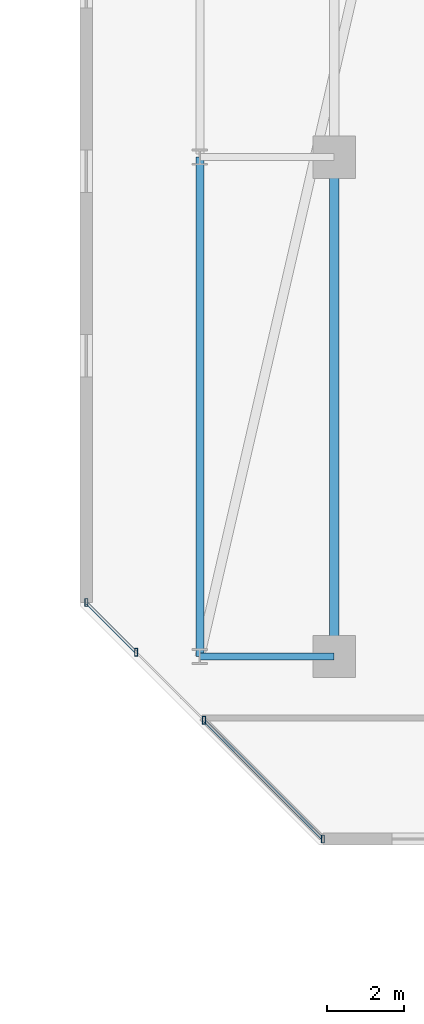
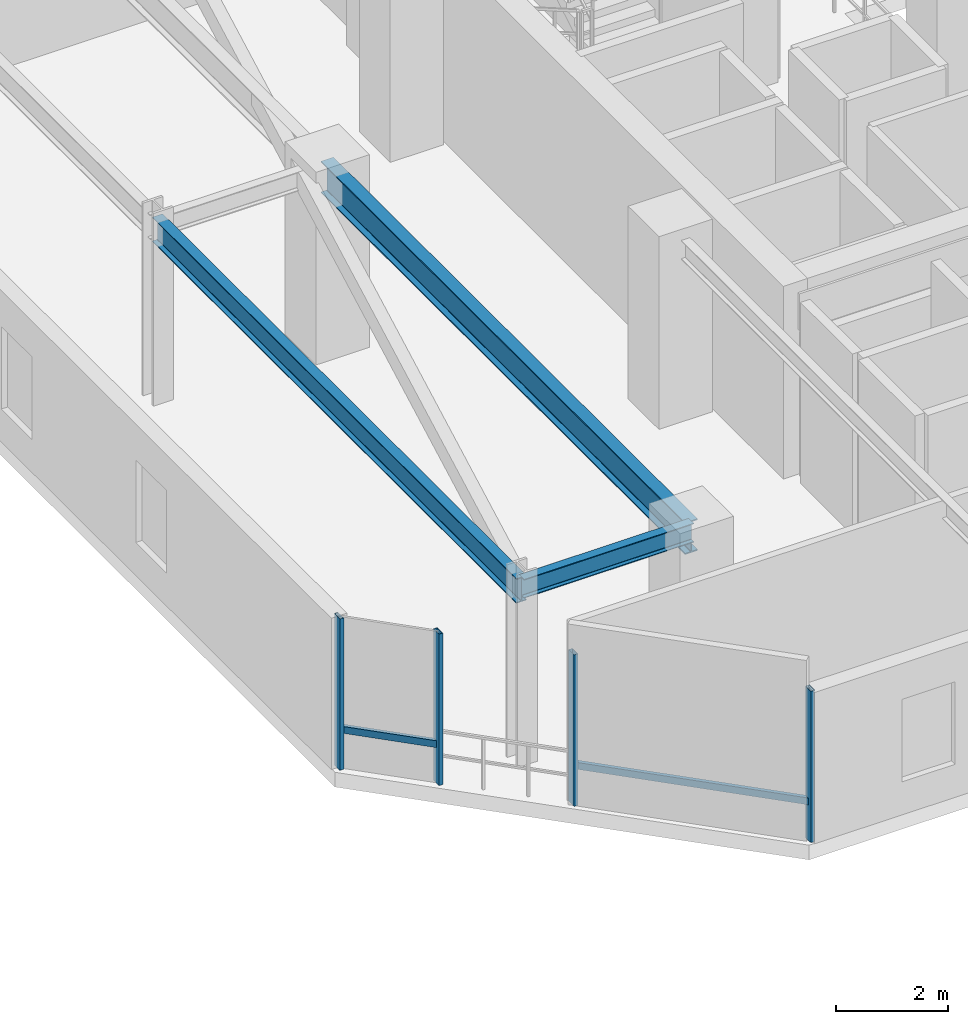
# One storey, part 6 of 33: 6 members, 3 beams, 2 elements without a shape of their own.
"""IFC4 building model written with IfcOpenShell, lengths in metres."""

from ifc_helpers import new_model, si_unit, direction, frame, origin, origin_2d, place, context, subcontext, project, spatial, hollow_rectangle, i_section, extrude, material, material_profile, profile_set, type_object, element, aggregate, save


model = new_model("IFC4")

# Units and contexts
model_context = context("Model", 3, precision=1e-05, world=origin(), true_north=direction((0.0, 1.0)))
body_context = subcontext(model_context, "Body", "Model", "MODEL_VIEW")
ifc_project = project(units=[si_unit("LENGTHUNIT", "METRE"), si_unit("AREAUNIT", "SQUARE_METRE"), si_unit("VOLUMEUNIT", "CUBIC_METRE"), si_unit("PLANEANGLEUNIT", "RADIAN"), si_unit("MASSUNIT", "GRAM", prefix="KILO")], contexts=[model_context])

# Site, building, storey
site_placement = place(None, origin())
site = spatial("IfcSite", under=ifc_project, at=site_placement, CompositionType="ELEMENT")
building_placement = place(site_placement, origin())
building = spatial("IfcBuilding", under=site, at=building_placement, Name="Thornwick Lancets Civic Towers", CompositionType="ELEMENT")
storey_placement = place(building_placement, frame((0.0, 0.0, 174.300048828125)))
storey = spatial("IfcBuildingStorey", under=building, at=storey_placement, Name="L46", CompositionType="ELEMENT", Elevation=174.300048828125)

# Beams
ifc_material_1 = material(Name="Steel S355JR", Category="steel")
ifc_material_profile_1 = material_profile(ifc_material_1, i_section(OverallWidth=0.210693359375, OverallDepth=0.53955078125, WebThickness=0.01171875, FlangeThickness=0.018798828125, FilletRadius=0.0126953125, at=origin_2d()), Name="UKB 533x210x109")
ifc_profile_set_1 = profile_set([ifc_material_profile_1], Name="Steel S355JR")
beam_type_1 = type_object("IfcBeamType", Name="BM_EDGE_533_109", PredefinedType="SPANDREL", material=ifc_profile_set_1)
beam_1_placement = place(storey_placement, frame((67.699951171875, 14.0, 3.690185546875), z_axis=(0.0, 1.0, 0.0), x_axis=(-1.0, 0.0, 0.0)))
element("IfcBeam", 1, at=beam_1_placement, inside=storey, type_object=beam_type_1, Name="BM-EDGE-L46-B-S2-1", PredefinedType="SPANDREL", context=body_context, shape_type="SweptSolid", body=[
    extrude(i_section(OverallWidth=0.210693359375, OverallDepth=0.53955078125, WebThickness=0.01171875, FlangeThickness=0.018798828125, FilletRadius=0.0126953125, at=origin_2d()), origin(), (0.0, 0.0, 1.0), 13.0),
])
ifc_material_profile_2 = material_profile(ifc_material_1, i_section(OverallWidth=0.255859375, OverallDepth=0.69287109375, WebThickness=0.014404296875, FlangeThickness=0.023681640625, FilletRadius=0.01513671875, at=origin_2d()), Name="UKB 686x254x170")
ifc_profile_set_2 = profile_set([ifc_material_profile_2], Name="Steel S355JR")
beam_type_2 = type_object("IfcBeamType", Name="BM_GIRD_686_170", PredefinedType="BEAM", material=ifc_profile_set_2)
beam_2_placement = place(storey_placement, frame((71.199951171875, 14.0, 3.613525390625), z_axis=(0.0, 1.0, 0.0), x_axis=(-1.0, 0.0, 0.0)))
element("IfcBeam", 2, at=beam_2_placement, inside=storey, type_object=beam_type_2, Name="BM-SPINE-L46-B-6-7", PredefinedType="BEAM", context=body_context, shape_type="SweptSolid", body=[
    extrude(i_section(OverallWidth=0.255859375, OverallDepth=0.69287109375, WebThickness=0.014404296875, FlangeThickness=0.023681640625, FilletRadius=0.01513671875, at=origin_2d()), origin(), (0.0, 0.0, 1.0), 13.0),
])
ifc_material_profile_3 = material_profile(ifc_material_1, i_section(OverallWidth=0.179443359375, OverallDepth=0.412841796875, WebThickness=0.009521484375, FlangeThickness=0.01611328125, FilletRadius=0.01025390625, at=origin_2d()), Name="UKB 406x178x74")
ifc_profile_set_3 = profile_set([ifc_material_profile_3], Name="Steel S355JR")
beam_type_3 = type_object("IfcBeamType", Name="BM_JOIST_406_74", PredefinedType="JOIST", material=ifc_profile_set_3)
beam_3_placement = place(storey_placement, frame((71.199951171875, 14.0, 3.753662109375), z_axis=(-1.0, 0.0, 0.0), x_axis=(0.0, -1.0, 0.0)))
element("IfcBeam", 3, at=beam_3_placement, inside=storey, type_object=beam_type_3, Name="BM-RAD-L46-B07", PredefinedType="JOIST", context=body_context, shape_type="SweptSolid", body=[
    extrude(i_section(OverallWidth=0.179443359375, OverallDepth=0.412841796875, WebThickness=0.009521484375, FlangeThickness=0.01611328125, FilletRadius=0.01025390625, at=origin_2d()), origin(), (0.0, 0.0, 1.0), 3.5),
])

# Curtain wall, members
ifc_material_2 = material(Name="Mid-zone chamfered-corner unitised glass curtain wall", Category="glass")
curtain_wall_type = type_object("IfcCurtainWallType", Name="CW_SYS_04", PredefinedType="NOTDEFINED", material=ifc_material_2)
curtain_wall_1_placement = place(storey_placement, origin())
curtain_wall_1 = element("IfcCurtainWall", 4, at=curtain_wall_1_placement, inside=storey, type_object=curtain_wall_type, Name="L46 Curtain Wall CW-L46-B-E7-S1", PredefinedType="NOTDEFINED")
ifc_material_3 = material(Name="Thermally broken bronze aluminium S355", Category="steel")
ifc_material_profile_4 = material_profile(ifc_material_3, hollow_rectangle(XDim=0.080078125, YDim=0.199951171875, WallThickness=0.006103515625, at=origin_2d()), Name="RHS 200x80x6")
ifc_profile_set_4 = profile_set([ifc_material_profile_4], Name="Thermally broken bronze aluminium S355")
member_type_1 = type_object("IfcMemberType", Name="CW_MUL_200", PredefinedType="MULLION", material=ifc_profile_set_4)
member_1_placement = place(storey_placement, frame((64.747314453125, 15.403564453125, 0.0), z_axis=(0.0, 0.0, 1.0), x_axis=(1.0, 0.0, 0.0)))
member_1 = element("IfcMember", 5, at=member_1_placement, type_object=member_type_1, Name="CW-L46-B-E7-S1 Mullion 0", PredefinedType="MULLION", context=body_context, shape_type="SweptSolid", body=[
    extrude(hollow_rectangle(XDim=0.080078125, YDim=0.199951171875, WallThickness=0.006103515625, at=origin_2d()), origin(), (0.0, 0.0, 1.0), 3.300048828125),
])
member_2_placement = place(storey_placement, frame((66.04150390625, 14.109375, 0.0), z_axis=(0.0, 0.0, 1.0), x_axis=(1.0, 0.0, 0.0)))
member_2 = element("IfcMember", 6, at=member_2_placement, type_object=member_type_1, Name="CW-L46-B-E7-S1 Mullion 1", PredefinedType="MULLION", context=body_context, shape_type="SweptSolid", body=[
    extrude(hollow_rectangle(XDim=0.080078125, YDim=0.199951171875, WallThickness=0.006103515625, at=origin_2d()), origin(), (0.0, 0.0, 1.0), 3.300048828125),
])

curtain_wall_2_placement = place(storey_placement, origin())
curtain_wall_2 = element("IfcCurtainWall", 7, at=curtain_wall_2_placement, inside=storey, type_object=curtain_wall_type, Name="L46 Curtain Wall CW-L46-B-E7-S2", PredefinedType="NOTDEFINED")
member_3_placement = place(storey_placement, frame((67.809326171875, 12.341552734375, 0.0), z_axis=(0.0, 0.0, 1.0), x_axis=(1.0, 0.0, 0.0)))
member_3 = element("IfcMember", 8, at=member_3_placement, type_object=member_type_1, Name="CW-L46-B-E7-S2 Mullion 0", PredefinedType="MULLION", context=body_context, shape_type="SweptSolid", body=[
    extrude(hollow_rectangle(XDim=0.080078125, YDim=0.199951171875, WallThickness=0.006103515625, at=origin_2d()), origin(), (0.0, 0.0, 1.0), 3.300048828125),
])
member_4_placement = place(storey_placement, frame((70.903564453125, 9.247314453125, 0.0), z_axis=(0.0, 0.0, 1.0), x_axis=(1.0, 0.0, 0.0)))
member_4 = element("IfcMember", 9, at=member_4_placement, type_object=member_type_1, Name="CW-L46-B-E7-S2 Mullion 1", PredefinedType="MULLION", context=body_context, shape_type="SweptSolid", body=[
    extrude(hollow_rectangle(XDim=0.080078125, YDim=0.199951171875, WallThickness=0.006103515625, at=origin_2d()), origin(), (0.0, 0.0, 1.0), 3.300048828125),
])

# Member
ifc_material_profile_5 = material_profile(ifc_material_3, hollow_rectangle(XDim=0.074951171875, YDim=0.14990234375, WallThickness=0.0048828125, at=origin_2d()), Name="RHS 150x75x5")
ifc_profile_set_5 = profile_set([ifc_material_profile_5], Name="Thermally broken bronze aluminium S355")
member_type_2 = type_object("IfcMemberType", Name="CW_TRN_150", PredefinedType="USERDEFINED", material=ifc_profile_set_5)
member_5_placement = place(storey_placement, frame((64.76123046875, 15.389404296875, 0.849853515625), z_axis=(0.707106781187, -0.707106781187, 0.0), x_axis=(0.707106781187, 0.707106781187, 0.0)))
member_5 = element("IfcMember", 10, at=member_5_placement, type_object=member_type_2, Name="CW-L46-B-E7-S1 Transom 0", ObjectType="TRANSOM", PredefinedType="USERDEFINED", context=body_context, shape_type="SweptSolid", body=[
    extrude(hollow_rectangle(XDim=0.074951171875, YDim=0.14990234375, WallThickness=0.0048828125, at=origin_2d()), origin(), (0.0, 0.0, 1.0), 1.79052734375),
])

aggregate(curtain_wall_1, [member_1, member_2, member_5])

member_6_placement = place(storey_placement, frame((67.823486328125, 12.327392578125, 0.849853515625), z_axis=(0.707078628109, -0.707134933144, 0.0), x_axis=(0.707134933144, 0.707078628109, 0.0)))
member_6 = element("IfcMember", 11, at=member_6_placement, type_object=member_type_2, Name="CW-L46-B-E7-S2 Transom 0", ObjectType="TRANSOM", PredefinedType="USERDEFINED", context=body_context, shape_type="SweptSolid", body=[
    extrude(hollow_rectangle(XDim=0.074951171875, YDim=0.14990234375, WallThickness=0.0048828125, at=origin_2d()), origin(), (0.0, 0.0, 1.0), 4.3359375),
])

aggregate(curtain_wall_2, [member_3, member_4, member_6])

save(model, "model.ifc")
